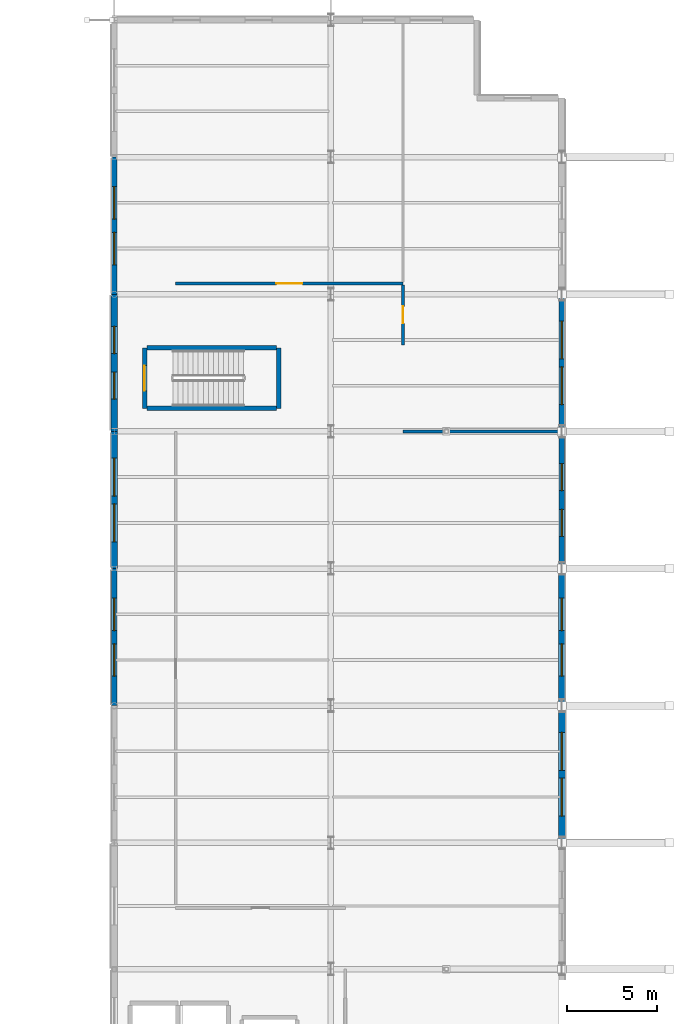
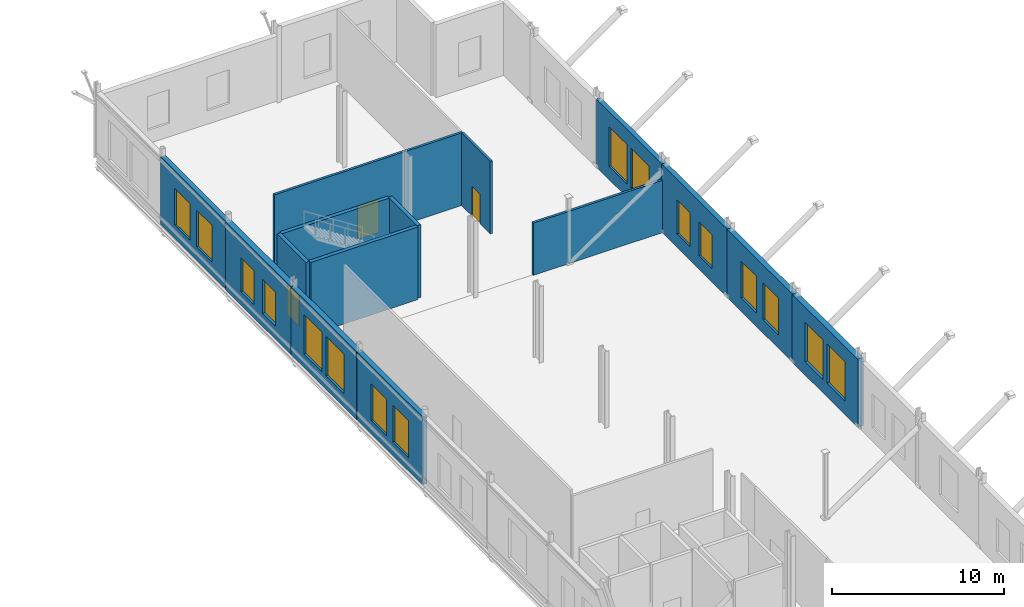
# One storey, part 128 of 147: 16 windows, 15 walls, 3 doors, 19 openings.
"""IFC4 building model written with IfcOpenShell, lengths in metres."""

import ifcopenshell
import ifcopenshell.guid

model = None  # the IFC model being written
_history = None  # IfcOwnerHistory: only IFC2X3 demands one
_inside = {}  # id of a spatial element -> (the spatial element, [elements in it])
_under = {}  # id of a project, library or spatial element -> (it, [spatial elements below it])
_declared = {}  # id of a project -> (the project, [libraries it declares])
_typed = {}  # id of a type object -> (the type object, [elements of that type])
_made_of = {}  # id of a material, layer set ... -> (it, [elements and type objects made of it])


def new_model(schema):
    """Start an empty IFC model of exactly this schema.

    Asked for "IFC4X3", IfcOpenShell would pick the latest addendum, in which some entities
    have other attributes; the version numbers below select the first issue.
    IFC2X3 requires an IfcOwnerHistory on every rooted entity: one is made here for all.
    """
    global model, _history
    if schema == "IFC4X3":
        model = ifcopenshell.file(schema_version=(4, 3, 0, 0))
    else:
        model = ifcopenshell.file(schema=schema)
    _inside.clear()
    _under.clear()
    _declared.clear()
    _typed.clear()
    _made_of.clear()
    _history = None
    if model.schema == "IFC2X3":
        org = make("IfcOrganization", Name="unknown")
        user = make(
            "IfcPersonAndOrganization",
            ThePerson=make("IfcPerson", FamilyName="unknown"),
            TheOrganization=org,
        )
        app = make(
            "IfcApplication",
            ApplicationDeveloper=org,
            Version="unknown",
            ApplicationFullName="unknown",
            ApplicationIdentifier="unknown",
        )
        _history = make(
            "IfcOwnerHistory",
            OwningUser=user,
            OwningApplication=app,
            ChangeAction="ADDED",
            CreationDate=0,
        )
    return model


def make(cls, **values):
    """One entity of the class cls with the attributes given. An attribute that is None is left unset."""
    return model.create_entity(
        cls, **{name: value for name, value in values.items() if value is not None}
    )


def rooted(cls, **values):
    """An entity with a GlobalId (a new one), such as an element, a storey or a relation."""
    return make(cls, GlobalId=ifcopenshell.guid.new(), OwnerHistory=_history, **values)


def si_unit(unit_type, name, prefix=None):
    """IfcSIUnit, for example si_unit("LENGTHUNIT", "METRE", prefix="MILLI")."""
    return make("IfcSIUnit", UnitType=unit_type, Prefix=prefix, Name=name)


def assignment(units):
    """IfcUnitAssignment: the units of a project."""
    return None if units is None else make("IfcUnitAssignment", Units=units)


def point(xyz):
    """IfcCartesianPoint."""
    return None if xyz is None else make("IfcCartesianPoint", Coordinates=xyz)


def direction(xyz):
    """IfcDirection."""
    return None if xyz is None else make("IfcDirection", DirectionRatios=xyz)


def frame(location, z_axis=None, x_axis=None):
    """IfcAxis2Placement3D, a coordinate frame: its origin and axes. An axis left out is left unset."""
    return make(
        "IfcAxis2Placement3D",
        Location=point(location),
        Axis=direction(z_axis),
        RefDirection=direction(x_axis),
    )


def frame_2d(location, x_axis=None):
    """IfcAxis2Placement2D, a coordinate frame in the plane: its origin and x axis."""
    return make(
        "IfcAxis2Placement2D", Location=point(location), RefDirection=direction(x_axis)
    )


def origin():
    """The frame at (0, 0, 0) with its axes left unset."""
    return frame((0.0, 0.0, 0.0))


def place(relative_to, where):
    """IfcLocalPlacement: puts the frame where relative to a parent placement (None: the world)."""
    return make(
        "IfcLocalPlacement", PlacementRelTo=relative_to, RelativePlacement=where
    )


def context(
    kind, dimensions, precision=None, world=None, true_north=None, identifier=None
):
    """IfcGeometricRepresentationContext, for example the 3D "Model" context."""
    return make(
        "IfcGeometricRepresentationContext",
        ContextIdentifier=identifier,
        ContextType=kind,
        CoordinateSpaceDimension=dimensions,
        Precision=precision,
        WorldCoordinateSystem=world,
        TrueNorth=true_north,
    )


def subcontext(parent, identifier, kind, view, scale=None):
    """IfcGeometricRepresentationSubContext, for example "Body" below "Model"."""
    return make(
        "IfcGeometricRepresentationSubContext",
        ContextIdentifier=identifier,
        ContextType=kind,
        ParentContext=parent,
        TargetScale=scale,
        TargetView=view,
    )


def project(units=None, contexts=None):
    """IfcProject with its units and contexts."""
    return rooted(
        "IfcProject",
        Name="project",
        RepresentationContexts=contexts,
        UnitsInContext=assignment(units),
    )


def spatial(cls, under=None, at=None, **own):
    """A site, building, storey or space (cls), placed at a placement, below another one or the project."""
    s = rooted(cls, ObjectPlacement=at, **own)
    if under is not None:
        _under.setdefault(under.id(), (under, []))[1].append(s)
    return s


def profile(cls, at=None, kind="AREA", **sizes):
    """A parametric profile (cls). Its sizes go by their IFC names, for example OverallWidth=200.0."""
    return make(cls, ProfileType=kind, Position=at, **sizes)


def rectangle(**sizes):
    """IfcRectangleProfileDef."""
    return profile("IfcRectangleProfileDef", **sizes)


def extrude(swept, where, along, depth):
    """IfcExtrudedAreaSolid: the profile swept, set in the frame where, extruded along a direction by depth."""
    return make(
        "IfcExtrudedAreaSolid",
        SweptArea=swept,
        Position=where,
        ExtrudedDirection=direction(along),
        Depth=depth,
    )


def shape(context_of_items, identifier, shape_type, items):
    """IfcShapeRepresentation: the items that make up one representation, for example the "Body"."""
    return make(
        "IfcShapeRepresentation",
        ContextOfItems=context_of_items,
        RepresentationIdentifier=identifier,
        RepresentationType=shape_type,
        Items=items,
    )


def material(Name=None, Category=None):
    """IfcMaterial."""
    return make("IfcMaterial", Name=Name, Category=Category)


def layer(
    of_material, thickness, ventilated=None, Name=None, Category=None, Priority=None
):
    """IfcMaterialLayer: one layer of a wall or slab, of a material (None: an air gap)."""
    return make(
        "IfcMaterialLayer",
        Material=of_material,
        LayerThickness=thickness,
        IsVentilated=ventilated,
        Name=Name,
        Category=Category,
        Priority=Priority,
    )


def layer_set(layers, Name=None):
    """IfcMaterialLayerSet."""
    return make("IfcMaterialLayerSet", MaterialLayers=layers, LayerSetName=Name)


def made_of(thing, what):
    """Note that an element or type object is made of a material, layer set ...; save() writes the relation."""
    if what is not None:
        _made_of.setdefault(what.id(), (what, []))[1].append(thing)
    return thing


def type_object(cls, material=None, **own):
    """A type object (cls), such as IfcWallType, which elements share."""
    return made_of(rooted(cls, **own), material)


def element(
    cls,
    number,
    at=None,
    inside=None,
    cuts=None,
    type_object=None,
    material=None,
    context=None,
    identifier="Body",
    shape_type=None,
    held_by="IfcProductDefinitionShape",
    body=None,
    shapes=None,
    **own,
):
    """One element of the class cls, such as IfcWall. Its Tag is "e" and its number.

    at: its placement. inside: the storey or other place that contains it. cuts: it is an
    opening in that element (IfcRelVoidsElement). A single representation is given by context,
    identifier, shape_type and body (its items); several are given by shapes. held_by: the class
    of the entity that holds the representations. save() writes the other relations.
    """
    e = rooted(cls, Tag="e%d" % number, ObjectPlacement=at, **own)
    if body is not None:
        shapes = [shape(context, identifier, shape_type, body)]
    if shapes is not None:
        e.Representation = make(held_by, Representations=shapes)
    if inside is not None:
        _inside.setdefault(inside.id(), (inside, []))[1].append(e)
    if cuts is not None:
        rooted(
            "IfcRelVoidsElement", RelatingBuildingElement=cuts, RelatedOpeningElement=e
        )
    if type_object is not None:
        _typed.setdefault(type_object.id(), (type_object, []))[1].append(e)
    return made_of(e, material)


def fill(opening, filler):
    """IfcRelFillsElement: the door or window that sits in an opening."""
    return rooted(
        "IfcRelFillsElement",
        RelatingOpeningElement=opening,
        RelatedBuildingElement=filler,
    )


def aggregate(whole, parts):
    """IfcRelAggregates: a whole, such as a stair, and the parts it consists of."""
    return rooted("IfcRelAggregates", RelatingObject=whole, RelatedObjects=parts)


def save(model, path):
    """Write the relations noted so far, then the file.

    IfcRelAggregates (storeys below a building ...), IfcRelContainedInSpatialStructure (elements
    in a storey), IfcRelDefinesByType, IfcRelAssociatesMaterial and IfcRelDeclares: one each for
    every whole, place, type object, material and project.
    """
    for whole, parts in _under.values():
        aggregate(whole, parts)
    for where, things in _inside.values():
        rooted(
            "IfcRelContainedInSpatialStructure",
            RelatedElements=things,
            RelatingStructure=where,
        )
    for kind, things in _typed.values():
        rooted("IfcRelDefinesByType", RelatedObjects=things, RelatingType=kind)
    for what, things in _made_of.values():
        rooted("IfcRelAssociatesMaterial", RelatedObjects=things, RelatingMaterial=what)
    for by, libraries in _declared.values():
        rooted("IfcRelDeclares", RelatingContext=by, RelatedDefinitions=libraries)
    model.write(path)


model = new_model("IFC4")

# Units and contexts
model_context = context("Model", 3, precision=1e-05, world=origin(), true_north=direction((0.0, 1.0)))
body_context = subcontext(model_context, "Body", "Model", "MODEL_VIEW")
ifc_project = project(units=[si_unit("LENGTHUNIT", "METRE"), si_unit("AREAUNIT", "SQUARE_METRE"), si_unit("VOLUMEUNIT", "CUBIC_METRE"), si_unit("PLANEANGLEUNIT", "RADIAN"), si_unit("MASSUNIT", "GRAM", prefix="KILO")], contexts=[model_context])

# Site, building, storey
site_placement = place(None, origin())
site = spatial("IfcSite", under=ifc_project, at=site_placement, CompositionType="ELEMENT")
building_placement = place(site_placement, origin())
building = spatial("IfcBuilding", under=site, at=building_placement, Name="Vekula Escarpment Museum", CompositionType="ELEMENT")
storey_placement = place(building_placement, frame((0.0, 0.0, 7.800048828125)))
storey = spatial("IfcBuildingStorey", under=building, at=storey_placement, Name="L02", CompositionType="ELEMENT", Elevation=7.800048828125)

# Wall, openings, windows
ifc_material_1 = material(Name="Inkisi arkosic sandstone masonry", Category="masonry")
ifc_layer_1 = layer(ifc_material_1, 0.300048828125)
ifc_layer_set_1 = layer_set([ifc_layer_1], Name="Inkisi arkosic sandstone masonry")
wall_type_1 = type_object("IfcWallType", Name="WL-ALM-300", PredefinedType="SOLIDWALL", material=ifc_layer_set_1)
wall_1_placement = place(storey_placement, frame((191.800048828125, 120.800048828125, 0.0), z_axis=(0.0, 0.0, 1.0), x_axis=(0.0, -1.0, 0.0)))
wall_1 = element("IfcWall", 1, at=wall_1_placement, inside=storey, type_object=wall_type_1, Name="Exterior Wall WL-EXT-L02-0399", PredefinedType="SOLIDWALL", context=body_context, shape_type="SweptSolid", body=[
    extrude(rectangle(XDim=7.60009765625, YDim=0.300048828125, at=frame_2d((3.800048828125, 0.0))), origin(), (0.0, 0.0, 1.0), 4.81494140625),
])
opening_1_placement = place(wall_1_placement, frame((1.4833984375, 0.0, 0.949951171875)))
opening_1 = element("IfcOpeningElement", 2, at=opening_1_placement, cuts=wall_1, Name="Opening WN-08", PredefinedType="OPENING", context=body_context, shape_type="SweptSolid", body=[
    extrude(rectangle(XDim=2.10009765625, YDim=2.800048828125, at=frame_2d((1.050048828125, 1.39990234375))), frame((0.0, 0.159912109375, 0.0), z_axis=(0.0, -1.0, 0.0), x_axis=(1.0, 0.0, 0.0)), (0.0, 0.0, 1.0), 0.320068359375),
])
opening_2_placement = place(wall_1_placement, frame((4.0166015625, 0.0, 0.949951171875)))
opening_2 = element("IfcOpeningElement", 3, at=opening_2_placement, cuts=wall_1, Name="Opening WN-08", PredefinedType="OPENING", context=body_context, shape_type="SweptSolid", body=[
    extrude(rectangle(XDim=2.10009765625, YDim=2.800048828125, at=frame_2d((1.050048828125, 1.39990234375))), frame((0.0, 0.159912109375, 0.0), z_axis=(0.0, -1.0, 0.0), x_axis=(1.0, 0.0, 0.0)), (0.0, 0.0, 1.0), 0.320068359375),
])
ifc_material_2 = material(Name="Double solar-control low-E glass", Category="glass")
window_type_1 = type_object("IfcWindowType", Name="WN-CUMBA-21x28", PartitioningType="DOUBLE_PANEL_VERTICAL", PredefinedType="WINDOW", material=ifc_material_2)
window_1_placement = place(opening_1_placement, origin())
window_1 = element("IfcWindow", 4, at=window_1_placement, inside=storey, type_object=window_type_1, Name="Window L02-0198", OverallHeight=2.800048828125, OverallWidth=2.10009765625, PartitioningType="SINGLE_PANEL", PredefinedType="WINDOW", context=body_context, shape_type="SweptSolid", body=[
    extrude(rectangle(XDim=2.10009765625, YDim=2.800048828125, at=frame_2d((1.050048828125, 1.39990234375))), frame((0.0, 0.030029296875, 0.0), z_axis=(0.0, -1.0, 0.0), x_axis=(1.0, 0.0, 0.0)), (0.0, 0.0, 1.0), 0.06005859375),
])
fill(opening_1, window_1)
window_2_placement = place(opening_2_placement, origin())
window_2 = element("IfcWindow", 5, at=window_2_placement, inside=storey, type_object=window_type_1, Name="Window L02-0199", OverallHeight=2.800048828125, OverallWidth=2.10009765625, PartitioningType="SINGLE_PANEL", PredefinedType="WINDOW", context=body_context, shape_type="SweptSolid", body=[
    extrude(rectangle(XDim=2.10009765625, YDim=2.800048828125, at=frame_2d((1.050048828125, 1.39990234375))), frame((0.0, 0.030029296875, 0.0), z_axis=(0.0, -1.0, 0.0), x_axis=(1.0, 0.0, 0.0)), (0.0, 0.0, 1.0), 0.06005859375),
])
fill(opening_2, window_2)

wall_2_placement = place(storey_placement, frame((167.0, 120.800048828125, 0.0), z_axis=(0.0, 0.0, 1.0), x_axis=(0.0, 1.0, 0.0)))
wall_2 = element("IfcWall", 6, at=wall_2_placement, inside=storey, type_object=wall_type_1, Name="Exterior Wall WL-EXT-L02-0407", PredefinedType="SOLIDWALL", context=body_context, shape_type="SweptSolid", body=[
    extrude(rectangle(XDim=7.599853515625, YDim=0.300048828125, at=frame_2d((3.7998046875, 0.0))), origin(), (0.0, 0.0, 1.0), 4.81494140625),
])
opening_3_placement = place(wall_2_placement, frame((1.63330078125, 0.0, 0.949951171875)))
opening_3 = element("IfcOpeningElement", 7, at=opening_3_placement, cuts=wall_2, Name="Opening WN-07", PredefinedType="OPENING", context=body_context, shape_type="SweptSolid", body=[
    extrude(rectangle(XDim=1.800048828125, YDim=2.60009765625, at=frame_2d((0.89990234375, 1.300048828125))), frame((0.0, 0.159912109375, 0.0), z_axis=(0.0, -1.0, 0.0), x_axis=(1.0, 0.0, 0.0)), (0.0, 0.0, 1.0), 0.320068359375),
])
opening_4_placement = place(wall_2_placement, frame((4.166748046875, 0.0, 0.949951171875)))
opening_4 = element("IfcOpeningElement", 8, at=opening_4_placement, cuts=wall_2, Name="Opening WN-07", PredefinedType="OPENING", context=body_context, shape_type="SweptSolid", body=[
    extrude(rectangle(XDim=1.800048828125, YDim=2.60009765625, at=frame_2d((0.89990234375, 1.300048828125))), frame((0.0, 0.159912109375, 0.0), z_axis=(0.0, -1.0, 0.0), x_axis=(1.0, 0.0, 0.0)), (0.0, 0.0, 1.0), 0.320068359375),
])
ifc_material_3 = material(Name="Double solar-control low-E glass", Category="glass")
window_type_2 = type_object("IfcWindowType", Name="WN-CUMBA-18x26", PartitioningType="DOUBLE_PANEL_VERTICAL", PredefinedType="WINDOW", material=ifc_material_3)
window_3_placement = place(opening_3_placement, origin())
window_3 = element("IfcWindow", 9, at=window_3_placement, inside=storey, type_object=window_type_2, Name="Window L02-0209", OverallHeight=2.60009765625, OverallWidth=1.800048828125, PartitioningType="SINGLE_PANEL", PredefinedType="WINDOW", context=body_context, shape_type="SweptSolid", body=[
    extrude(rectangle(XDim=1.800048828125, YDim=2.60009765625, at=frame_2d((0.89990234375, 1.300048828125))), frame((0.0, 0.030029296875, 0.0), z_axis=(0.0, -1.0, 0.0), x_axis=(1.0, 0.0, 0.0)), (0.0, 0.0, 1.0), 0.06005859375),
])
fill(opening_3, window_3)
window_4_placement = place(opening_4_placement, origin())
window_4 = element("IfcWindow", 10, at=window_4_placement, inside=storey, type_object=window_type_2, Name="Window L02-0210", OverallHeight=2.60009765625, OverallWidth=1.800048828125, PartitioningType="SINGLE_PANEL", PredefinedType="WINDOW", context=body_context, shape_type="SweptSolid", body=[
    extrude(rectangle(XDim=1.800048828125, YDim=2.60009765625, at=frame_2d((0.89990234375, 1.300048828125))), frame((0.0, 0.030029296875, 0.0), z_axis=(0.0, -1.0, 0.0), x_axis=(1.0, 0.0, 0.0)), (0.0, 0.0, 1.0), 0.06005859375),
])
fill(opening_4, window_4)

ifc_material_4 = material(Name="Inkisi arkosic sandstone masonry", Category="masonry")
ifc_layer_2 = layer(ifc_material_4, 0.320068359375)
ifc_layer_set_2 = layer_set([ifc_layer_2], Name="Inkisi arkosic sandstone masonry")
wall_type_2 = type_object("IfcWallType", Name="WL-ALM-320", PredefinedType="SOLIDWALL", material=ifc_layer_set_2)
wall_3_placement = place(storey_placement, frame((191.800048828125, 113.199951171875, 0.0), z_axis=(0.0, 0.0, 1.0), x_axis=(0.0, -1.0, 0.0)))
wall_3 = element("IfcWall", 11, at=wall_3_placement, inside=storey, type_object=wall_type_2, Name="Exterior Wall WL-EXT-L02-0398", PredefinedType="SOLIDWALL", context=body_context, shape_type="SweptSolid", body=[
    extrude(rectangle(XDim=7.599853515625, YDim=0.320068359375, at=frame_2d((3.7998046875, 0.0))), origin(), (0.0, 0.0, 1.0), 4.81494140625),
])
opening_5_placement = place(wall_3_placement, frame((1.783203125, 0.0, 0.949951171875)))
opening_5 = element("IfcOpeningElement", 12, at=opening_5_placement, cuts=wall_3, Name="Opening WN-06", PredefinedType="OPENING", context=body_context, shape_type="SweptSolid", body=[
    extrude(rectangle(XDim=1.5, YDim=2.39990234375, at=frame_2d((0.75, 1.199951171875))), frame((0.0, 0.169921875, 0.0), z_axis=(0.0, -1.0, 0.0), x_axis=(1.0, 0.0, 0.0)), (0.0, 0.0, 1.0), 0.340087890625),
])
opening_6_placement = place(wall_3_placement, frame((4.316650390625, 0.0, 0.949951171875)))
opening_6 = element("IfcOpeningElement", 13, at=opening_6_placement, cuts=wall_3, Name="Opening WN-06", PredefinedType="OPENING", context=body_context, shape_type="SweptSolid", body=[
    extrude(rectangle(XDim=1.5, YDim=2.39990234375, at=frame_2d((0.75, 1.199951171875))), frame((0.0, 0.169921875, 0.0), z_axis=(0.0, -1.0, 0.0), x_axis=(1.0, 0.0, 0.0)), (0.0, 0.0, 1.0), 0.340087890625),
])
ifc_material_5 = material(Name="Double solar-control low-E glass", Category="glass")
window_type_3 = type_object("IfcWindowType", Name="WN-CUMBA-15x24", PartitioningType="SINGLE_PANEL", PredefinedType="WINDOW", material=ifc_material_5)
window_5_placement = place(opening_5_placement, origin())
window_5 = element("IfcWindow", 14, at=window_5_placement, inside=storey, type_object=window_type_3, Name="Window L02-0196", OverallHeight=2.39990234375, OverallWidth=1.5, PartitioningType="SINGLE_PANEL", PredefinedType="WINDOW", context=body_context, shape_type="SweptSolid", body=[
    extrude(rectangle(XDim=1.5, YDim=2.39990234375, at=frame_2d((0.75, 1.199951171875))), frame((0.0, 0.030029296875, 0.0), z_axis=(0.0, -1.0, 0.0), x_axis=(1.0, 0.0, 0.0)), (0.0, 0.0, 1.0), 0.06005859375),
])
fill(opening_5, window_5)
window_6_placement = place(opening_6_placement, origin())
window_6 = element("IfcWindow", 15, at=window_6_placement, inside=storey, type_object=window_type_3, Name="Window L02-0197", OverallHeight=2.39990234375, OverallWidth=1.5, PartitioningType="SINGLE_PANEL", PredefinedType="WINDOW", context=body_context, shape_type="SweptSolid", body=[
    extrude(rectangle(XDim=1.5, YDim=2.39990234375, at=frame_2d((0.75, 1.199951171875))), frame((0.0, 0.030029296875, 0.0), z_axis=(0.0, -1.0, 0.0), x_axis=(1.0, 0.0, 0.0)), (0.0, 0.0, 1.0), 0.06005859375),
])
fill(opening_6, window_6)

wall_4_placement = place(storey_placement, frame((167.0, 98.0, 0.0), z_axis=(0.0, 0.0, 1.0), x_axis=(0.0, 1.0, 0.0)))
wall_4 = element("IfcWall", 16, at=wall_4_placement, inside=storey, type_object=wall_type_2, Name="Exterior Wall WL-EXT-L02-0410", PredefinedType="SOLIDWALL", context=body_context, shape_type="SweptSolid", body=[
    extrude(rectangle(XDim=7.60009765625, YDim=0.320068359375, at=frame_2d((3.800048828125, 0.0))), origin(), (0.0, 0.0, 1.0), 4.81494140625),
])
opening_7_placement = place(wall_4_placement, frame((1.63330078125, 0.0, 0.949951171875)))
opening_7 = element("IfcOpeningElement", 17, at=opening_7_placement, cuts=wall_4, Name="Opening WN-07", PredefinedType="OPENING", context=body_context, shape_type="SweptSolid", body=[
    extrude(rectangle(XDim=1.800048828125, YDim=2.60009765625, at=frame_2d((0.89990234375, 1.300048828125))), frame((0.0, 0.169921875, 0.0), z_axis=(0.0, -1.0, 0.0), x_axis=(1.0, 0.0, 0.0)), (0.0, 0.0, 1.0), 0.340087890625),
])
opening_8_placement = place(wall_4_placement, frame((4.166748046875, 0.0, 0.949951171875)))
opening_8 = element("IfcOpeningElement", 18, at=opening_8_placement, cuts=wall_4, Name="Opening WN-07", PredefinedType="OPENING", context=body_context, shape_type="SweptSolid", body=[
    extrude(rectangle(XDim=1.800048828125, YDim=2.60009765625, at=frame_2d((0.89990234375, 1.300048828125))), frame((0.0, 0.169921875, 0.0), z_axis=(0.0, -1.0, 0.0), x_axis=(1.0, 0.0, 0.0)), (0.0, 0.0, 1.0), 0.340087890625),
])
window_7_placement = place(opening_7_placement, origin())
window_7 = element("IfcWindow", 19, at=window_7_placement, inside=storey, type_object=window_type_2, Name="Window L02-0215", OverallHeight=2.60009765625, OverallWidth=1.800048828125, PartitioningType="SINGLE_PANEL", PredefinedType="WINDOW", context=body_context, shape_type="SweptSolid", body=[
    extrude(rectangle(XDim=1.800048828125, YDim=2.60009765625, at=frame_2d((0.89990234375, 1.300048828125))), frame((0.0, 0.030029296875, 0.0), z_axis=(0.0, -1.0, 0.0), x_axis=(1.0, 0.0, 0.0)), (0.0, 0.0, 1.0), 0.06005859375),
])
fill(opening_7, window_7)
window_8_placement = place(opening_8_placement, origin())
window_8 = element("IfcWindow", 20, at=window_8_placement, inside=storey, type_object=window_type_2, Name="Window L02-0216", OverallHeight=2.60009765625, OverallWidth=1.800048828125, PartitioningType="SINGLE_PANEL", PredefinedType="WINDOW", context=body_context, shape_type="SweptSolid", body=[
    extrude(rectangle(XDim=1.800048828125, YDim=2.60009765625, at=frame_2d((0.89990234375, 1.300048828125))), frame((0.0, 0.030029296875, 0.0), z_axis=(0.0, -1.0, 0.0), x_axis=(1.0, 0.0, 0.0)), (0.0, 0.0, 1.0), 0.06005859375),
])
fill(opening_8, window_8)

ifc_material_6 = material(Name="Inkisi arkosic sandstone masonry", Category="masonry")
ifc_layer_3 = layer(ifc_material_6, 0.35009765625)
ifc_layer_set_3 = layer_set([ifc_layer_3], Name="Inkisi arkosic sandstone masonry")
wall_type_3 = type_object("IfcWallType", Name="WL-ALM-350", PredefinedType="SOLIDWALL", material=ifc_layer_set_3)
wall_5_placement = place(storey_placement, frame((191.800048828125, 105.60009765625, 0.0), z_axis=(0.0, 0.0, 1.0), x_axis=(0.0, -1.0, 0.0)))
wall_5 = element("IfcWall", 21, at=wall_5_placement, inside=storey, type_object=wall_type_3, Name="Exterior Wall WL-EXT-L02-0397", PredefinedType="SOLIDWALL", context=body_context, shape_type="SweptSolid", body=[
    extrude(rectangle(XDim=7.60009765625, YDim=0.35009765625, at=frame_2d((3.800048828125, 0.0))), origin(), (0.0, 0.0, 1.0), 4.81494140625),
])
opening_9_placement = place(wall_5_placement, frame((1.63330078125, 0.0, 0.949951171875)))
opening_9 = element("IfcOpeningElement", 22, at=opening_9_placement, cuts=wall_5, Name="Opening WN-07", PredefinedType="OPENING", context=body_context, shape_type="SweptSolid", body=[
    extrude(rectangle(XDim=1.800048828125, YDim=2.60009765625, at=frame_2d((0.89990234375, 1.300048828125))), frame((0.0, 0.18505859375, 0.0), z_axis=(0.0, -1.0, 0.0), x_axis=(1.0, 0.0, 0.0)), (0.0, 0.0, 1.0), 0.3701171875),
])
opening_10_placement = place(wall_5_placement, frame((4.166748046875, 0.0, 0.949951171875)))
opening_10 = element("IfcOpeningElement", 23, at=opening_10_placement, cuts=wall_5, Name="Opening WN-07", PredefinedType="OPENING", context=body_context, shape_type="SweptSolid", body=[
    extrude(rectangle(XDim=1.800048828125, YDim=2.60009765625, at=frame_2d((0.89990234375, 1.300048828125))), frame((0.0, 0.18505859375, 0.0), z_axis=(0.0, -1.0, 0.0), x_axis=(1.0, 0.0, 0.0)), (0.0, 0.0, 1.0), 0.3701171875),
])
window_9_placement = place(opening_9_placement, origin())
window_9 = element("IfcWindow", 24, at=window_9_placement, inside=storey, type_object=window_type_2, Name="Window L02-0194", OverallHeight=2.60009765625, OverallWidth=1.800048828125, PartitioningType="SINGLE_PANEL", PredefinedType="WINDOW", context=body_context, shape_type="SweptSolid", body=[
    extrude(rectangle(XDim=1.800048828125, YDim=2.60009765625, at=frame_2d((0.89990234375, 1.300048828125))), frame((0.0, 0.030029296875, 0.0), z_axis=(0.0, -1.0, 0.0), x_axis=(1.0, 0.0, 0.0)), (0.0, 0.0, 1.0), 0.06005859375),
])
fill(opening_9, window_9)
window_10_placement = place(opening_10_placement, origin())
window_10 = element("IfcWindow", 25, at=window_10_placement, inside=storey, type_object=window_type_2, Name="Window L02-0195", OverallHeight=2.60009765625, OverallWidth=1.800048828125, PartitioningType="SINGLE_PANEL", PredefinedType="WINDOW", context=body_context, shape_type="SweptSolid", body=[
    extrude(rectangle(XDim=1.800048828125, YDim=2.60009765625, at=frame_2d((0.89990234375, 1.300048828125))), frame((0.0, 0.030029296875, 0.0), z_axis=(0.0, -1.0, 0.0), x_axis=(1.0, 0.0, 0.0)), (0.0, 0.0, 1.0), 0.06005859375),
])
fill(opening_10, window_10)

wall_6_placement = place(storey_placement, frame((167.0, 105.60009765625, 0.0), z_axis=(0.0, 0.0, 1.0), x_axis=(0.0, 1.0, 0.0)))
wall_6 = element("IfcWall", 26, at=wall_6_placement, inside=storey, type_object=wall_type_3, Name="Exterior Wall WL-EXT-L02-0409", PredefinedType="SOLIDWALL", context=body_context, shape_type="SweptSolid", body=[
    extrude(rectangle(XDim=7.599853515625, YDim=0.35009765625, at=frame_2d((3.7998046875, 0.0))), origin(), (0.0, 0.0, 1.0), 4.81494140625),
])
opening_11_placement = place(wall_6_placement, frame((1.4833984375, 0.0, 0.949951171875)))
opening_11 = element("IfcOpeningElement", 27, at=opening_11_placement, cuts=wall_6, Name="Opening WN-08", PredefinedType="OPENING", context=body_context, shape_type="SweptSolid", body=[
    extrude(rectangle(XDim=2.10009765625, YDim=2.800048828125, at=frame_2d((1.050048828125, 1.39990234375))), frame((0.0, 0.18505859375, 0.0), z_axis=(0.0, -1.0, 0.0), x_axis=(1.0, 0.0, 0.0)), (0.0, 0.0, 1.0), 0.3701171875),
])
opening_12_placement = place(wall_6_placement, frame((4.0166015625, 0.0, 0.949951171875)))
opening_12 = element("IfcOpeningElement", 28, at=opening_12_placement, cuts=wall_6, Name="Opening WN-08", PredefinedType="OPENING", context=body_context, shape_type="SweptSolid", body=[
    extrude(rectangle(XDim=2.10009765625, YDim=2.800048828125, at=frame_2d((1.050048828125, 1.39990234375))), frame((0.0, 0.18505859375, 0.0), z_axis=(0.0, -1.0, 0.0), x_axis=(1.0, 0.0, 0.0)), (0.0, 0.0, 1.0), 0.3701171875),
])
window_11_placement = place(opening_11_placement, origin())
window_11 = element("IfcWindow", 29, at=window_11_placement, inside=storey, type_object=window_type_1, Name="Window L02-0213", OverallHeight=2.800048828125, OverallWidth=2.10009765625, PartitioningType="SINGLE_PANEL", PredefinedType="WINDOW", context=body_context, shape_type="SweptSolid", body=[
    extrude(rectangle(XDim=2.10009765625, YDim=2.800048828125, at=frame_2d((1.050048828125, 1.39990234375))), frame((0.0, 0.030029296875, 0.0), z_axis=(0.0, -1.0, 0.0), x_axis=(1.0, 0.0, 0.0)), (0.0, 0.0, 1.0), 0.06005859375),
])
fill(opening_11, window_11)
window_12_placement = place(opening_12_placement, origin())
window_12 = element("IfcWindow", 30, at=window_12_placement, inside=storey, type_object=window_type_1, Name="Window L02-0214", OverallHeight=2.800048828125, OverallWidth=2.10009765625, PartitioningType="SINGLE_PANEL", PredefinedType="WINDOW", context=body_context, shape_type="SweptSolid", body=[
    extrude(rectangle(XDim=2.10009765625, YDim=2.800048828125, at=frame_2d((1.050048828125, 1.39990234375))), frame((0.0, 0.030029296875, 0.0), z_axis=(0.0, -1.0, 0.0), x_axis=(1.0, 0.0, 0.0)), (0.0, 0.0, 1.0), 0.06005859375),
])
fill(opening_12, window_12)

ifc_material_7 = material(Name="Inkisi arkosic sandstone masonry", Category="masonry")
ifc_layer_4 = layer(ifc_material_7, 0.3798828125)
ifc_layer_set_4 = layer_set([ifc_layer_4], Name="Inkisi arkosic sandstone masonry")
wall_type_4 = type_object("IfcWallType", Name="WL-ALM-380", PredefinedType="SOLIDWALL", material=ifc_layer_set_4)
wall_7_placement = place(storey_placement, frame((191.800048828125, 98.0, 0.0), z_axis=(0.0, 0.0, 1.0), x_axis=(0.0, -1.0, 0.0)))
wall_7 = element("IfcWall", 31, at=wall_7_placement, inside=storey, type_object=wall_type_4, Name="Exterior Wall WL-EXT-L02-0396", PredefinedType="SOLIDWALL", context=body_context, shape_type="SweptSolid", body=[
    extrude(rectangle(XDim=7.60009765625, YDim=0.3798828125, at=frame_2d((3.800048828125, 0.0))), origin(), (0.0, 0.0, 1.0), 4.81494140625),
])
opening_13_placement = place(wall_7_placement, frame((1.4833984375, 0.0, 0.949951171875)))
opening_13 = element("IfcOpeningElement", 32, at=opening_13_placement, cuts=wall_7, Name="Opening WN-08", PredefinedType="OPENING", context=body_context, shape_type="SweptSolid", body=[
    extrude(rectangle(XDim=2.10009765625, YDim=2.800048828125, at=frame_2d((1.050048828125, 1.39990234375))), frame((0.0, 0.199951171875, 0.0), z_axis=(0.0, -1.0, 0.0), x_axis=(1.0, 0.0, 0.0)), (0.0, 0.0, 1.0), 0.39990234375),
])
opening_14_placement = place(wall_7_placement, frame((4.0166015625, 0.0, 0.949951171875)))
opening_14 = element("IfcOpeningElement", 33, at=opening_14_placement, cuts=wall_7, Name="Opening WN-08", PredefinedType="OPENING", context=body_context, shape_type="SweptSolid", body=[
    extrude(rectangle(XDim=2.10009765625, YDim=2.800048828125, at=frame_2d((1.050048828125, 1.39990234375))), frame((0.0, 0.199951171875, 0.0), z_axis=(0.0, -1.0, 0.0), x_axis=(1.0, 0.0, 0.0)), (0.0, 0.0, 1.0), 0.39990234375),
])
window_13_placement = place(opening_13_placement, origin())
window_13 = element("IfcWindow", 34, at=window_13_placement, inside=storey, type_object=window_type_1, Name="Window L02-0192", OverallHeight=2.800048828125, OverallWidth=2.10009765625, PartitioningType="SINGLE_PANEL", PredefinedType="WINDOW", context=body_context, shape_type="SweptSolid", body=[
    extrude(rectangle(XDim=2.10009765625, YDim=2.800048828125, at=frame_2d((1.050048828125, 1.39990234375))), frame((0.0, 0.030029296875, 0.0), z_axis=(0.0, -1.0, 0.0), x_axis=(1.0, 0.0, 0.0)), (0.0, 0.0, 1.0), 0.06005859375),
])
fill(opening_13, window_13)
window_14_placement = place(opening_14_placement, origin())
window_14 = element("IfcWindow", 35, at=window_14_placement, inside=storey, type_object=window_type_1, Name="Window L02-0193", OverallHeight=2.800048828125, OverallWidth=2.10009765625, PartitioningType="SINGLE_PANEL", PredefinedType="WINDOW", context=body_context, shape_type="SweptSolid", body=[
    extrude(rectangle(XDim=2.10009765625, YDim=2.800048828125, at=frame_2d((1.050048828125, 1.39990234375))), frame((0.0, 0.030029296875, 0.0), z_axis=(0.0, -1.0, 0.0), x_axis=(1.0, 0.0, 0.0)), (0.0, 0.0, 1.0), 0.06005859375),
])
fill(opening_14, window_14)

wall_8_placement = place(storey_placement, frame((167.0, 113.199951171875, 0.0), z_axis=(0.0, 0.0, 1.0), x_axis=(0.0, 1.0, 0.0)))
wall_8 = element("IfcWall", 36, at=wall_8_placement, inside=storey, type_object=wall_type_4, Name="Exterior Wall WL-EXT-L02-0408", PredefinedType="SOLIDWALL", context=body_context, shape_type="SweptSolid", body=[
    extrude(rectangle(XDim=7.60009765625, YDim=0.3798828125, at=frame_2d((3.800048828125, 0.0))), origin(), (0.0, 0.0, 1.0), 4.81494140625),
])
opening_15_placement = place(wall_8_placement, frame((1.783203125, 0.0, 0.949951171875)))
opening_15 = element("IfcOpeningElement", 37, at=opening_15_placement, cuts=wall_8, Name="Opening WN-06", PredefinedType="OPENING", context=body_context, shape_type="SweptSolid", body=[
    extrude(rectangle(XDim=1.5, YDim=2.39990234375, at=frame_2d((0.75, 1.199951171875))), frame((0.0, 0.199951171875, 0.0), z_axis=(0.0, -1.0, 0.0), x_axis=(1.0, 0.0, 0.0)), (0.0, 0.0, 1.0), 0.39990234375),
])
opening_16_placement = place(wall_8_placement, frame((4.316650390625, 0.0, 0.949951171875)))
opening_16 = element("IfcOpeningElement", 38, at=opening_16_placement, cuts=wall_8, Name="Opening WN-06", PredefinedType="OPENING", context=body_context, shape_type="SweptSolid", body=[
    extrude(rectangle(XDim=1.5, YDim=2.39990234375, at=frame_2d((0.75, 1.199951171875))), frame((0.0, 0.199951171875, 0.0), z_axis=(0.0, -1.0, 0.0), x_axis=(1.0, 0.0, 0.0)), (0.0, 0.0, 1.0), 0.39990234375),
])
window_15_placement = place(opening_15_placement, origin())
window_15 = element("IfcWindow", 39, at=window_15_placement, inside=storey, type_object=window_type_3, Name="Window L02-0211", OverallHeight=2.39990234375, OverallWidth=1.5, PartitioningType="SINGLE_PANEL", PredefinedType="WINDOW", context=body_context, shape_type="SweptSolid", body=[
    extrude(rectangle(XDim=1.5, YDim=2.39990234375, at=frame_2d((0.75, 1.199951171875))), frame((0.0, 0.030029296875, 0.0), z_axis=(0.0, -1.0, 0.0), x_axis=(1.0, 0.0, 0.0)), (0.0, 0.0, 1.0), 0.06005859375),
])
fill(opening_15, window_15)
window_16_placement = place(opening_16_placement, origin())
window_16 = element("IfcWindow", 40, at=window_16_placement, inside=storey, type_object=window_type_3, Name="Window L02-0212", OverallHeight=2.39990234375, OverallWidth=1.5, PartitioningType="SINGLE_PANEL", PredefinedType="WINDOW", context=body_context, shape_type="SweptSolid", body=[
    extrude(rectangle(XDim=1.5, YDim=2.39990234375, at=frame_2d((0.75, 1.199951171875))), frame((0.0, 0.030029296875, 0.0), z_axis=(0.0, -1.0, 0.0), x_axis=(1.0, 0.0, 0.0)), (0.0, 0.0, 1.0), 0.06005859375),
])
fill(opening_16, window_16)

# Wall, opening, door
ifc_material_8 = material(Name="Concrete C35/45", Category="concrete")
ifc_layer_5 = layer(ifc_material_8, 0.25)
ifc_layer_set_5 = layer_set([ifc_layer_5], Name="Concrete C35/45")
wall_type_5 = type_object("IfcWallType", Name="WL-CORE-250", PredefinedType="SHEAR", material=ifc_layer_set_5)
wall_9_placement = place(storey_placement, frame((168.675048828125, 114.47509765625, 0.0), z_axis=(0.0, 0.0, 1.0), x_axis=(0.0, 1.0, 0.0)))
wall_9 = element("IfcWall", 41, at=wall_9_placement, inside=storey, type_object=wall_type_5, Name="Stair Core Wall ST-05 L02 W", PredefinedType="SHEAR", context=body_context, shape_type="SweptSolid", body=[
    extrude(rectangle(XDim=3.349853515625, YDim=0.25, at=frame_2d((1.6748046875, 0.0))), origin(), (0.0, 0.0, 1.0), 5.14990234375),
])
opening_17_placement = place(wall_9_placement, frame((0.97509765625, 0.0, 0.0)))
opening_17 = element("IfcOpeningElement", 42, at=opening_17_placement, cuts=wall_9, Name="Opening DR-FD60", PredefinedType="OPENING", context=body_context, shape_type="SweptSolid", body=[
    extrude(rectangle(XDim=1.39990234375, YDim=2.199951171875, at=frame_2d((0.699951171875, 1.10009765625))), frame((0.0, 0.135009765625, 0.0), z_axis=(0.0, -1.0, 0.0), x_axis=(1.0, 0.0, 0.0)), (0.0, 0.0, 1.0), 0.27001953125),
])
ifc_material_9 = material(Name="Fire-rated steel stair door", Category="steel")
door_type_1 = type_object("IfcDoorType", Name="DR-STAIR-1400x2200", OperationType="NOTDEFINED", PredefinedType="DOOR", material=ifc_material_9)
door_1_placement = place(opening_17_placement, origin())
door_1 = element("IfcDoor", 43, at=door_1_placement, inside=storey, type_object=door_type_1, Name="Protected Exit Stair Door ST-05 L02", OperationType="SINGLE_SWING_RIGHT", OverallHeight=2.199951171875, OverallWidth=1.39990234375, PredefinedType="DOOR", context=body_context, shape_type="SweptSolid", body=[
    extrude(rectangle(XDim=1.39990234375, YDim=2.199951171875, at=frame_2d((0.699951171875, 1.10009765625))), frame((0.0, 0.02490234375, 0.0), z_axis=(0.0, -1.0, 0.0), x_axis=(1.0, 0.0, 0.0)), (0.0, 0.0, 1.0), 0.050048828125),
])
fill(opening_17, door_1)

# Walls
wall_10_placement = place(storey_placement, frame((176.125, 114.47509765625, 0.0), z_axis=(0.0, 0.0, 1.0), x_axis=(0.0, 1.0, 0.0)))
element("IfcWall", 44, at=wall_10_placement, inside=storey, type_object=wall_type_5, Name="Stair Core Wall ST-05 L02 E", PredefinedType="SHEAR", context=body_context, shape_type="SweptSolid", body=[
    extrude(rectangle(XDim=3.349853515625, YDim=0.25, at=frame_2d((1.6748046875, 0.0))), origin(), (0.0, 0.0, 1.0), 5.14990234375),
])
for number, where, z_axis, x_axis, name in (
    (45, (168.803955078125, 114.47509765625, 0.0), (0.0, 0.0, 1.0), (1.0, 0.0, 0.0), "Stair Core Wall ST-05 L02 S"),
    (46, (168.803955078125, 117.824951171875, 0.0), (0.0, 0.0, 1.0), (1.0, 0.0, 0.0), "Stair Core Wall ST-05 L02 N"),
):
    element("IfcWall", number, at=place(storey_placement, frame(where, z_axis=z_axis, x_axis=x_axis)), inside=storey, type_object=wall_type_5, Name=name, PredefinedType="SHEAR", context=body_context, shape_type="SweptSolid", body=[
        extrude(rectangle(XDim=7.192138671875, YDim=0.25, at=frame_2d((3.59619140625, 0.0))), origin(), (0.0, 0.0, 1.0), 5.14990234375),
    ])

# Wall, opening, door
ifc_material_10 = material(Name="Gypsum board dry-lined partition", Category="gypsum")
ifc_layer_6 = layer(ifc_material_10, 0.14990234375)
ifc_layer_set_6 = layer_set([ifc_layer_6], Name="Gypsum board dry-lined partition")
wall_type_6 = type_object("IfcWallType", Name="WL-PART-150", PredefinedType="PARTITIONING", material=ifc_layer_set_6)
wall_11_placement = place(storey_placement, frame((183.0, 118.0, 0.0), z_axis=(0.0, 0.0, 1.0), x_axis=(0.0, 1.0, 0.0)))
wall_11 = element("IfcWall", 47, at=wall_11_placement, inside=storey, type_object=wall_type_6, Name="Interior Partition WL-INT-L02-0011", PredefinedType="PARTITIONING", context=body_context, shape_type="SweptSolid", body=[
    extrude(rectangle(XDim=3.31591796875, YDim=0.14990234375, at=frame_2d((1.657958984375, 0.0))), origin(), (0.0, 0.0, 1.0), 5.14990234375),
])
opening_18_placement = place(wall_11_placement, frame((1.18310546875, 0.0, 0.0)))
opening_18 = element("IfcOpeningElement", 48, at=opening_18_placement, cuts=wall_11, Name="Opening DR-OF09", PredefinedType="OPENING", context=body_context, shape_type="SweptSolid", body=[
    extrude(rectangle(XDim=0.949951171875, YDim=2.10009765625, at=frame_2d((0.47509765625, 1.050048828125))), frame((0.0, 0.0849609375, 0.0), z_axis=(0.0, -1.0, 0.0), x_axis=(1.0, 0.0, 0.0)), (0.0, 0.0, 1.0), 0.169921875),
])
ifc_material_11 = material(Name="Solid core timber office door", Category="wood")
door_type_2 = type_object("IfcDoorType", Name="DR-OFF-0950x2100", OperationType="NOTDEFINED", PredefinedType="DOOR", material=ifc_material_11)
door_2_placement = place(opening_18_placement, origin())
door_2 = element("IfcDoor", 49, at=door_2_placement, inside=storey, type_object=door_type_2, Name="Interior Door L02-011", OperationType="SINGLE_SWING_LEFT", OverallHeight=2.10009765625, OverallWidth=0.949951171875, PredefinedType="DOOR", context=body_context, shape_type="SweptSolid", body=[
    extrude(rectangle(XDim=0.949951171875, YDim=2.10009765625, at=frame_2d((0.47509765625, 1.050048828125))), frame((0.0, 0.02490234375, 0.0), z_axis=(0.0, -1.0, 0.0), x_axis=(1.0, 0.0, 0.0)), (0.0, 0.0, 1.0), 0.050048828125),
])
fill(opening_18, door_2)

ifc_material_12 = material(Name="Gypsum board gallery partition", Category="gypsum")
ifc_layer_7 = layer(ifc_material_12, 0.159912109375)
ifc_layer_set_7 = layer_set([ifc_layer_7], Name="Gypsum board gallery partition")
wall_type_7 = type_object("IfcWallType", Name="WL-PART-160", PredefinedType="PARTITIONING", material=ifc_layer_set_7)
wall_12_placement = place(storey_placement, frame((170.39990234375, 121.39990234375, 0.0), z_axis=(0.0, 0.0, 1.0), x_axis=(1.0, 0.0, 0.0)))
wall_12 = element("IfcWall", 50, at=wall_12_placement, inside=storey, type_object=wall_type_7, Name="Interior Partition WL-INT-L02-0010", PredefinedType="PARTITIONING", context=body_context, shape_type="SweptSolid", body=[
    extrude(rectangle(XDim=12.60009765625, YDim=0.159912109375, at=frame_2d((6.300048828125, 0.0))), origin(), (0.0, 0.0, 1.0), 5.14990234375),
])
opening_19_placement = place(wall_12_placement, frame((5.574951171875, 0.0, 0.0)))
opening_19 = element("IfcOpeningElement", 51, at=opening_19_placement, cuts=wall_12, Name="Opening DR-LB14", PredefinedType="OPENING", context=body_context, shape_type="SweptSolid", body=[
    extrude(rectangle(XDim=1.449951171875, YDim=2.35009765625, at=frame_2d((0.72509765625, 1.175048828125))), frame((0.0, 0.08984375, 0.0), z_axis=(0.0, -1.0, 0.0), x_axis=(1.0, 0.0, 0.0)), (0.0, 0.0, 1.0), 0.179931640625),
])
ifc_material_13 = material(Name="Glazed timber library door", Category="wood")
door_type_3 = type_object("IfcDoorType", Name="DR-LIB-1450x2350", OperationType="NOTDEFINED", PredefinedType="DOOR", material=ifc_material_13)
door_3_placement = place(opening_19_placement, origin())
door_3 = element("IfcDoor", 52, at=door_3_placement, inside=storey, type_object=door_type_3, Name="Interior Door L02-010", OperationType="SINGLE_SWING_RIGHT", OverallHeight=2.35009765625, OverallWidth=1.449951171875, PredefinedType="DOOR", context=body_context, shape_type="SweptSolid", body=[
    extrude(rectangle(XDim=1.449951171875, YDim=2.35009765625, at=frame_2d((0.72509765625, 1.175048828125))), frame((0.0, 0.02490234375, 0.0), z_axis=(0.0, -1.0, 0.0), x_axis=(1.0, 0.0, 0.0)), (0.0, 0.0, 1.0), 0.050048828125),
])
fill(opening_19, door_3)

# Wall
wall_13_placement = place(storey_placement, frame((183.0, 113.199951171875, 0.0), z_axis=(0.0, 0.0, 1.0), x_axis=(1.0, 0.0, 0.0)))
element("IfcWall", 53, at=wall_13_placement, inside=storey, type_object=wall_type_7, Name="Interior Partition WL-INT-L02-0013", PredefinedType="PARTITIONING", context=body_context, shape_type="SweptSolid", body=[
    extrude(rectangle(XDim=8.635986328125, YDim=0.159912109375, at=frame_2d((4.31787109375, 0.0))), origin(), (0.0, 0.0, 1.0), 3.704833984375),
])

save(model, "model.ifc")
